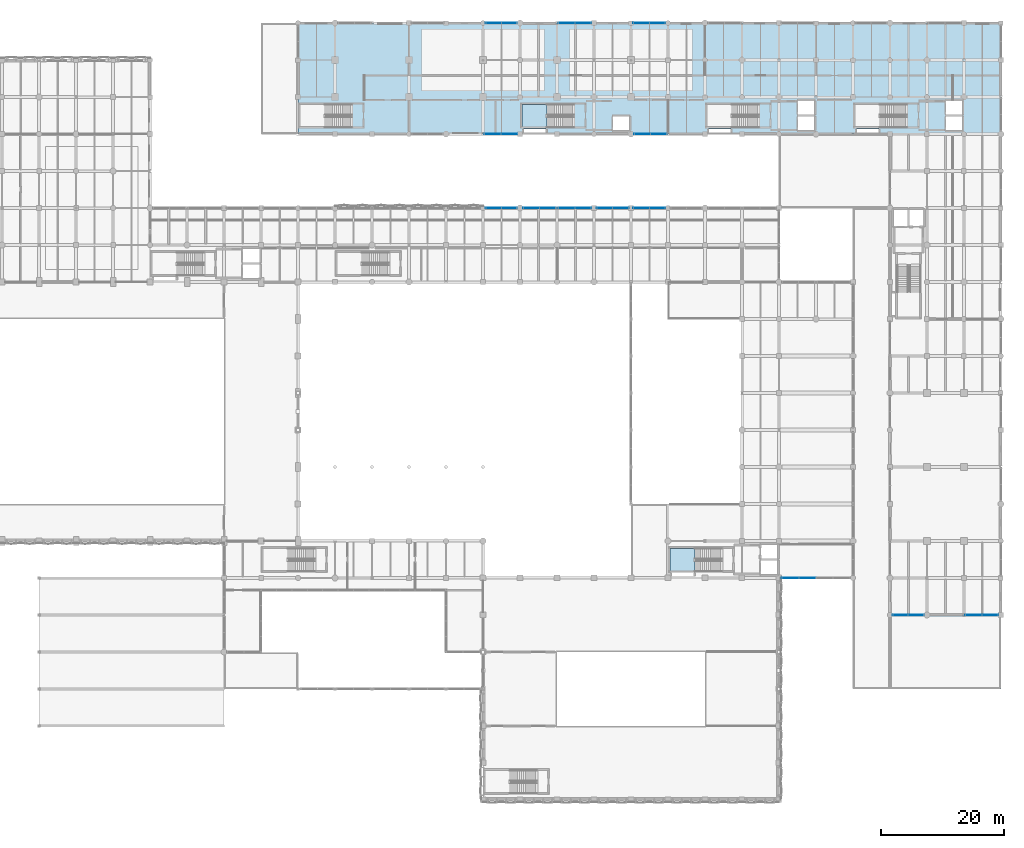
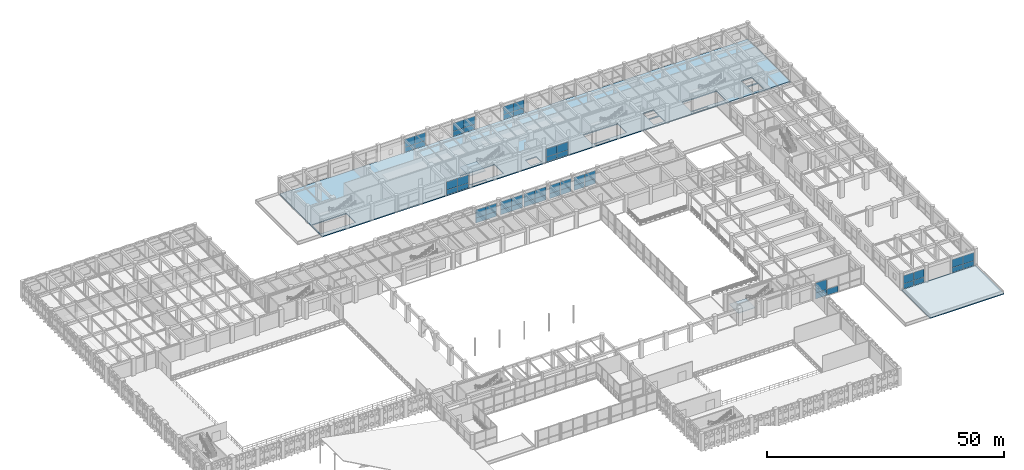
# One storey, part 91 of 133: 51 plates, 4 slabs, 15 elements without a shape of their own.
"""IFC4 building model written with IfcOpenShell, lengths in metres."""

from ifc_helpers import new_model, si_unit, direction, frame, frame_2d, origin, place, context, subcontext, project, spatial, polyline, rectangle, outline, extrude, material, layer, layer_set, type_object, element, aggregate, save


model = new_model("IFC4")

# Units and contexts
model_context = context("Model", 3, precision=1e-05, world=origin(), true_north=direction((0.0, 1.0)))
body_context = subcontext(model_context, "Body", "Model", "MODEL_VIEW")
ifc_project = project(units=[si_unit("LENGTHUNIT", "METRE"), si_unit("AREAUNIT", "SQUARE_METRE"), si_unit("VOLUMEUNIT", "CUBIC_METRE"), si_unit("PLANEANGLEUNIT", "RADIAN"), si_unit("MASSUNIT", "GRAM", prefix="KILO"), si_unit("THERMODYNAMICTEMPERATUREUNIT", "KELVIN"), si_unit("POWERUNIT", "WATT")], contexts=[model_context])

# Site, building, storey
site_placement = place(None, origin())
site = spatial("IfcSite", under=ifc_project, at=site_placement, CompositionType="ELEMENT")
building_placement = place(site_placement, origin())
building = spatial("IfcBuilding", under=site, at=building_placement, Name="Phaisarnlok Congress Hotel", CompositionType="ELEMENT")
storey_placement = place(building_placement, frame((0.0, 0.0, 6.0)))
storey = spatial("IfcBuildingStorey", under=building, at=storey_placement, Name="L01", CompositionType="ELEMENT", Elevation=6.0)

# Curtain wall, plates
ifc_material_1 = material(Name="Thermally Broken Unitised Aluminium & Low-E Glazing", Category="aluminium")
curtain_wall_type_1 = type_object("IfcCurtainWallType", Name="CW-UNIT-11", PredefinedType="NOTDEFINED", material=ifc_material_1)
curtain_wall_1_placement = place(storey_placement, origin())
curtain_wall_1 = element("IfcCurtainWall", 1, at=curtain_wall_1_placement, inside=storey, type_object=curtain_wall_type_1, Name="Unitised curtain wall CW-11 (L01)", PredefinedType="NOTDEFINED")
ifc_material_2 = material(Name="Triple Acoustic Solar-Control Glazing", Category="glass")
ifc_layer_1 = layer(ifc_material_2, 0.035888671875, Name="Triple Acoustic Solar-Control Glazing")
ifc_layer_set_1 = layer_set([ifc_layer_1], Name="Triple Acoustic Solar-Control Glazing")
plate_type = type_object("IfcPlateType", Name="CWP-GLZ-36", PredefinedType="CURTAIN_PANEL", material=ifc_layer_set_1)
plate_1_placement = place(storey_placement, frame((144.47509765625, 36.0, 0.0400390625), z_axis=(0.0, 0.0, 1.0), x_axis=(1.0, 0.0, 0.0)))
plate_1 = element("IfcPlate", 2, at=plate_1_placement, type_object=plate_type, Name="Glazed curtain panel CWP-02", PredefinedType="CURTAIN_PANEL", context=body_context, shape_type="SweptSolid", body=[
    extrude(rectangle(XDim=2.74365234375, YDim=0.028076171875, at=frame_2d((1.371826171875, 0.0))), origin(), (0.0, 0.0, 1.0), 1.5634765625),
])
plate_2_placement = place(storey_placement, frame((144.47509765625, 36.0, 1.603515625), z_axis=(0.0, 0.0, 1.0), x_axis=(1.0, 0.0, 0.0)))
plate_2 = element("IfcPlate", 3, at=plate_2_placement, type_object=plate_type, Name="Glazed curtain panel CWP-02", PredefinedType="CURTAIN_PANEL", context=body_context, shape_type="SweptSolid", body=[
    extrude(rectangle(XDim=2.74365234375, YDim=0.028076171875, at=frame_2d((1.371826171875, 0.0))), origin(), (0.0, 0.0, 1.0), 2.576416015625),
])
plate_3_placement = place(storey_placement, frame((147.248779296875, 36.0, 0.0400390625), z_axis=(0.0, 0.0, 1.0), x_axis=(1.0, 0.0, 0.0)))
plate_3 = element("IfcPlate", 4, at=plate_3_placement, type_object=plate_type, Name="Glazed curtain panel CWP-02", PredefinedType="CURTAIN_PANEL", context=body_context, shape_type="SweptSolid", body=[
    extrude(rectangle(XDim=2.748779296875, YDim=0.028076171875, at=frame_2d((1.37451171875, 0.0))), origin(), (0.0, 0.0, 1.0), 1.5634765625),
])
aggregate(curtain_wall_1, [plate_1, plate_2, plate_3])

curtain_wall_type_2 = type_object("IfcCurtainWallType", Name="CW-UNIT-15", PredefinedType="NOTDEFINED", material=ifc_material_1)
curtain_wall_2_placement = place(storey_placement, origin())
curtain_wall_2 = element("IfcCurtainWall", 5, at=curtain_wall_2_placement, inside=storey, type_object=curtain_wall_type_2, Name="Unitised curtain wall CW-15 (L01)", PredefinedType="NOTDEFINED")
plate_4_placement = place(storey_placement, frame((125.550048828125, 96.0, 0.0400390625), z_axis=(0.0, 0.0, 1.0), x_axis=(-1.0, 0.0, 0.0)))
plate_4 = element("IfcPlate", 6, at=plate_4_placement, type_object=plate_type, Name="Glazed curtain panel CWP-02", PredefinedType="CURTAIN_PANEL", context=body_context, shape_type="SweptSolid", body=[
    extrude(rectangle(XDim=2.56005859375, YDim=0.028076171875, at=frame_2d((1.280029296875, 0.0))), origin(), (0.0, 0.0, 1.0), 1.278564453125),
])
plate_5_placement = place(storey_placement, frame((125.550048828125, 96.0, 1.318603515625), z_axis=(0.0, 0.0, 1.0), x_axis=(-1.0, 0.0, 0.0)))
plate_5 = element("IfcPlate", 7, at=plate_5_placement, type_object=plate_type, Name="Glazed curtain panel CWP-02", PredefinedType="CURTAIN_PANEL", context=body_context, shape_type="SweptSolid", body=[
    extrude(rectangle(XDim=2.56005859375, YDim=0.028076171875, at=frame_2d((1.280029296875, 0.0))), origin(), (0.0, 0.0, 1.0), 2.111328125),
])
plate_6_placement = place(storey_placement, frame((122.9599609375, 96.0, 0.0400390625), z_axis=(0.0, 0.0, 1.0), x_axis=(-1.0, 0.0, 0.0)))
plate_6 = element("IfcPlate", 8, at=plate_6_placement, type_object=plate_type, Name="Glazed curtain panel CWP-02", PredefinedType="CURTAIN_PANEL", context=body_context, shape_type="SweptSolid", body=[
    extrude(rectangle(XDim=2.56005859375, YDim=0.028076171875, at=frame_2d((1.280029296875, 0.0))), origin(), (0.0, 0.0, 1.0), 1.278564453125),
])
plate_7_placement = place(storey_placement, frame((122.9599609375, 96.0, 1.318603515625), z_axis=(0.0, 0.0, 1.0), x_axis=(-1.0, 0.0, 0.0)))
plate_7 = element("IfcPlate", 9, at=plate_7_placement, type_object=plate_type, Name="Glazed curtain panel CWP-02", PredefinedType="CURTAIN_PANEL", context=body_context, shape_type="SweptSolid", body=[
    extrude(rectangle(XDim=2.56005859375, YDim=0.028076171875, at=frame_2d((1.280029296875, 0.0))), origin(), (0.0, 0.0, 1.0), 2.111328125),
])
aggregate(curtain_wall_2, [plate_4, plate_5, plate_6, plate_7])

curtain_wall_3_placement = place(storey_placement, origin())
curtain_wall_3 = element("IfcCurtainWall", 10, at=curtain_wall_3_placement, inside=storey, type_object=curtain_wall_type_2, Name="Unitised curtain wall CW-15 (L01)", PredefinedType="NOTDEFINED")
plate_8_placement = place(storey_placement, frame((119.60009765625, 96.0, 0.0400390625), z_axis=(0.0, 0.0, 1.0), x_axis=(-1.0, 0.0, 0.0)))
plate_8 = element("IfcPlate", 11, at=plate_8_placement, type_object=plate_type, Name="Glazed curtain panel CWP-02", PredefinedType="CURTAIN_PANEL", context=body_context, shape_type="SweptSolid", body=[
    extrude(rectangle(XDim=2.572509765625, YDim=0.028076171875, at=frame_2d((1.2861328125, 0.0))), origin(), (0.0, 0.0, 1.0), 1.278564453125),
])
plate_9_placement = place(storey_placement, frame((119.60009765625, 96.0, 1.318603515625), z_axis=(0.0, 0.0, 1.0), x_axis=(-1.0, 0.0, 0.0)))
plate_9 = element("IfcPlate", 12, at=plate_9_placement, type_object=plate_type, Name="Glazed curtain panel CWP-02", PredefinedType="CURTAIN_PANEL", context=body_context, shape_type="SweptSolid", body=[
    extrude(rectangle(XDim=2.572509765625, YDim=0.028076171875, at=frame_2d((1.2861328125, 0.0))), origin(), (0.0, 0.0, 1.0), 2.111328125),
])
plate_10_placement = place(storey_placement, frame((116.99755859375, 96.0, 0.0400390625), z_axis=(0.0, 0.0, 1.0), x_axis=(-1.0, 0.0, 0.0)))
plate_10 = element("IfcPlate", 13, at=plate_10_placement, type_object=plate_type, Name="Glazed curtain panel CWP-02", PredefinedType="CURTAIN_PANEL", context=body_context, shape_type="SweptSolid", body=[
    extrude(rectangle(XDim=2.572509765625, YDim=0.028076171875, at=frame_2d((1.2861328125, 0.0))), origin(), (0.0, 0.0, 1.0), 1.278564453125),
])
plate_11_placement = place(storey_placement, frame((116.99755859375, 96.0, 1.318603515625), z_axis=(0.0, 0.0, 1.0), x_axis=(-1.0, 0.0, 0.0)))
plate_11 = element("IfcPlate", 14, at=plate_11_placement, type_object=plate_type, Name="Glazed curtain panel CWP-02", PredefinedType="CURTAIN_PANEL", context=body_context, shape_type="SweptSolid", body=[
    extrude(rectangle(XDim=2.572509765625, YDim=0.028076171875, at=frame_2d((1.2861328125, 0.0))), origin(), (0.0, 0.0, 1.0), 2.111328125),
])
aggregate(curtain_wall_3, [plate_8, plate_9, plate_10, plate_11])

curtain_wall_type_3 = type_object("IfcCurtainWallType", Name="CW-UNIT-14", PredefinedType="NOTDEFINED", material=ifc_material_1)
curtain_wall_4_placement = place(storey_placement, origin())
curtain_wall_4 = element("IfcCurtainWall", 15, at=curtain_wall_4_placement, inside=storey, type_object=curtain_wall_type_3, Name="Unitised curtain wall CW-14 (L01)", PredefinedType="NOTDEFINED")
plate_12_placement = place(storey_placement, frame((113.574951171875, 96.0, 0.0400390625), z_axis=(0.0, 0.0, 1.0), x_axis=(-1.0, 0.0, 0.0)))
plate_12 = element("IfcPlate", 16, at=plate_12_placement, type_object=plate_type, Name="Glazed curtain panel CWP-02", PredefinedType="CURTAIN_PANEL", context=body_context, shape_type="SweptSolid", body=[
    extrude(rectangle(XDim=2.65966796875, YDim=0.028076171875, at=frame_2d((1.329833984375, 0.0))), origin(), (0.0, 0.0, 1.0), 1.278564453125),
])
plate_13_placement = place(storey_placement, frame((113.574951171875, 96.0, 1.318603515625), z_axis=(0.0, 0.0, 1.0), x_axis=(-1.0, 0.0, 0.0)))
plate_13 = element("IfcPlate", 17, at=plate_13_placement, type_object=plate_type, Name="Glazed curtain panel CWP-02", PredefinedType="CURTAIN_PANEL", context=body_context, shape_type="SweptSolid", body=[
    extrude(rectangle(XDim=2.65966796875, YDim=0.028076171875, at=frame_2d((1.329833984375, 0.0))), origin(), (0.0, 0.0, 1.0), 2.111328125),
])
plate_14_placement = place(storey_placement, frame((110.88525390625, 96.0, 0.0400390625), z_axis=(0.0, 0.0, 1.0), x_axis=(-1.0, 0.0, 0.0)))
plate_14 = element("IfcPlate", 18, at=plate_14_placement, type_object=plate_type, Name="Glazed curtain panel CWP-02", PredefinedType="CURTAIN_PANEL", context=body_context, shape_type="SweptSolid", body=[
    extrude(rectangle(XDim=2.65966796875, YDim=0.028076171875, at=frame_2d((1.329833984375, 0.0))), origin(), (0.0, 0.0, 1.0), 1.278564453125),
])
plate_15_placement = place(storey_placement, frame((110.88525390625, 96.0, 1.318603515625), z_axis=(0.0, 0.0, 1.0), x_axis=(-1.0, 0.0, 0.0)))
plate_15 = element("IfcPlate", 19, at=plate_15_placement, type_object=plate_type, Name="Glazed curtain panel CWP-02", PredefinedType="CURTAIN_PANEL", context=body_context, shape_type="SweptSolid", body=[
    extrude(rectangle(XDim=2.65966796875, YDim=0.028076171875, at=frame_2d((1.329833984375, 0.0))), origin(), (0.0, 0.0, 1.0), 2.111328125),
])
aggregate(curtain_wall_4, [plate_12, plate_13, plate_14, plate_15])

curtain_wall_type_4 = type_object("IfcCurtainWallType", Name="CW-UNIT-13", PredefinedType="NOTDEFINED", material=ifc_material_1)
curtain_wall_5_placement = place(storey_placement, origin())
curtain_wall_5 = element("IfcCurtainWall", 20, at=curtain_wall_5_placement, inside=storey, type_object=curtain_wall_type_4, Name="Unitised curtain wall CW-13 (L01)", PredefinedType="NOTDEFINED")
plate_16_placement = place(storey_placement, frame((107.7744140625, 96.0, 0.0400390625), z_axis=(0.0, 0.0, 1.0), x_axis=(-1.0, 0.0, 0.0)))
plate_16 = element("IfcPlate", 21, at=plate_16_placement, type_object=plate_type, Name="Glazed curtain panel CWP-02", PredefinedType="CURTAIN_PANEL", context=body_context, shape_type="SweptSolid", body=[
    extrude(rectangle(XDim=2.609619140625, YDim=0.028076171875, at=frame_2d((1.3046875, 0.0))), origin(), (0.0, 0.0, 1.0), 1.278564453125),
])
plate_17_placement = place(storey_placement, frame((107.7744140625, 96.0, 1.318603515625), z_axis=(0.0, 0.0, 1.0), x_axis=(-1.0, 0.0, 0.0)))
plate_17 = element("IfcPlate", 22, at=plate_17_placement, type_object=plate_type, Name="Glazed curtain panel CWP-02", PredefinedType="CURTAIN_PANEL", context=body_context, shape_type="SweptSolid", body=[
    extrude(rectangle(XDim=2.609619140625, YDim=0.028076171875, at=frame_2d((1.3046875, 0.0))), origin(), (0.0, 0.0, 1.0), 2.111328125),
])
plate_18_placement = place(storey_placement, frame((105.134765625, 96.0, 0.0400390625), z_axis=(0.0, 0.0, 1.0), x_axis=(-1.0, 0.0, 0.0)))
plate_18 = element("IfcPlate", 23, at=plate_18_placement, type_object=plate_type, Name="Glazed curtain panel CWP-02", PredefinedType="CURTAIN_PANEL", context=body_context, shape_type="SweptSolid", body=[
    extrude(rectangle(XDim=2.60986328125, YDim=0.028076171875, at=frame_2d((1.304931640625, 0.0))), origin(), (0.0, 0.0, 1.0), 1.278564453125),
])
plate_19_placement = place(storey_placement, frame((105.134765625, 96.0, 1.318603515625), z_axis=(0.0, 0.0, 1.0), x_axis=(-1.0, 0.0, 0.0)))
plate_19 = element("IfcPlate", 24, at=plate_19_placement, type_object=plate_type, Name="Glazed curtain panel CWP-02", PredefinedType="CURTAIN_PANEL", context=body_context, shape_type="SweptSolid", body=[
    extrude(rectangle(XDim=2.60986328125, YDim=0.028076171875, at=frame_2d((1.304931640625, 0.0))), origin(), (0.0, 0.0, 1.0), 2.111328125),
])
aggregate(curtain_wall_5, [plate_16, plate_17, plate_18, plate_19])

curtain_wall_type_5 = type_object("IfcCurtainWallType", Name="CW-UNIT-12", PredefinedType="NOTDEFINED", material=ifc_material_1)
curtain_wall_6_placement = place(storey_placement, origin())
curtain_wall_6 = element("IfcCurtainWall", 25, at=curtain_wall_6_placement, inside=storey, type_object=curtain_wall_type_5, Name="Unitised curtain wall CW-12 (L01)", PredefinedType="NOTDEFINED")
plate_20_placement = place(storey_placement, frame((101.47509765625, 96.0, 0.0400390625), z_axis=(0.0, 0.0, 1.0), x_axis=(-1.0, 0.0, 0.0)))
plate_20 = element("IfcPlate", 26, at=plate_20_placement, type_object=plate_type, Name="Glazed curtain panel CWP-02", PredefinedType="CURTAIN_PANEL", context=body_context, shape_type="SweptSolid", body=[
    extrude(rectangle(XDim=2.49755859375, YDim=0.028076171875, at=frame_2d((1.248779296875, 0.0))), origin(), (0.0, 0.0, 1.0), 1.278564453125),
])
plate_21_placement = place(storey_placement, frame((101.47509765625, 96.0, 1.318603515625), z_axis=(0.0, 0.0, 1.0), x_axis=(-1.0, 0.0, 0.0)))
plate_21 = element("IfcPlate", 27, at=plate_21_placement, type_object=plate_type, Name="Glazed curtain panel CWP-02", PredefinedType="CURTAIN_PANEL", context=body_context, shape_type="SweptSolid", body=[
    extrude(rectangle(XDim=2.49755859375, YDim=0.028076171875, at=frame_2d((1.248779296875, 0.0))), origin(), (0.0, 0.0, 1.0), 2.111328125),
])
plate_22_placement = place(storey_placement, frame((98.947509765625, 96.0, 0.0400390625), z_axis=(0.0, 0.0, 1.0), x_axis=(-1.0, 0.0, 0.0)))
plate_22 = element("IfcPlate", 28, at=plate_22_placement, type_object=plate_type, Name="Glazed curtain panel CWP-02", PredefinedType="CURTAIN_PANEL", context=body_context, shape_type="SweptSolid", body=[
    extrude(rectangle(XDim=2.49755859375, YDim=0.028076171875, at=frame_2d((1.248779296875, 0.0))), origin(), (0.0, 0.0, 1.0), 1.278564453125),
])
plate_23_placement = place(storey_placement, frame((98.947509765625, 96.0, 1.318603515625), z_axis=(0.0, 0.0, 1.0), x_axis=(-1.0, 0.0, 0.0)))
plate_23 = element("IfcPlate", 29, at=plate_23_placement, type_object=plate_type, Name="Glazed curtain panel CWP-02", PredefinedType="CURTAIN_PANEL", context=body_context, shape_type="SweptSolid", body=[
    extrude(rectangle(XDim=2.49755859375, YDim=0.028076171875, at=frame_2d((1.248779296875, 0.0))), origin(), (0.0, 0.0, 1.0), 2.111328125),
])
aggregate(curtain_wall_6, [plate_20, plate_21, plate_22, plate_23])

curtain_wall_7_placement = place(storey_placement, origin())
curtain_wall_7 = element("IfcCurtainWall", 30, at=curtain_wall_7_placement, inside=storey, type_object=curtain_wall_type_3, Name="Unitised curtain wall CW-14 (L01)", PredefinedType="NOTDEFINED")
plate_24_placement = place(storey_placement, frame((96.2255859375, 108.0, 0.0400390625), z_axis=(0.0, 0.0, 1.0), x_axis=(1.0, 0.0, 0.0)))
plate_24 = element("IfcPlate", 31, at=plate_24_placement, type_object=plate_type, Name="Glazed curtain panel CWP-02", PredefinedType="CURTAIN_PANEL", context=body_context, shape_type="SweptSolid", body=[
    extrude(rectangle(XDim=2.65966796875, YDim=0.028076171875, at=frame_2d((1.329833984375, 0.0))), origin(), (0.0, 0.0, 1.0), 1.278564453125),
])
plate_25_placement = place(storey_placement, frame((96.2255859375, 108.0, 1.318603515625), z_axis=(0.0, 0.0, 1.0), x_axis=(1.0, 0.0, 0.0)))
plate_25 = element("IfcPlate", 32, at=plate_25_placement, type_object=plate_type, Name="Glazed curtain panel CWP-02", PredefinedType="CURTAIN_PANEL", context=body_context, shape_type="SweptSolid", body=[
    extrude(rectangle(XDim=2.65966796875, YDim=0.028076171875, at=frame_2d((1.329833984375, 0.0))), origin(), (0.0, 0.0, 1.0), 2.111328125),
])
plate_26_placement = place(storey_placement, frame((98.915283203125, 108.0, 0.0400390625), z_axis=(0.0, 0.0, 1.0), x_axis=(1.0, 0.0, 0.0)))
plate_26 = element("IfcPlate", 33, at=plate_26_placement, type_object=plate_type, Name="Glazed curtain panel CWP-02", PredefinedType="CURTAIN_PANEL", context=body_context, shape_type="SweptSolid", body=[
    extrude(rectangle(XDim=2.65966796875, YDim=0.028076171875, at=frame_2d((1.329833984375, 0.0))), origin(), (0.0, 0.0, 1.0), 1.278564453125),
])
plate_27_placement = place(storey_placement, frame((98.915283203125, 108.0, 1.318603515625), z_axis=(0.0, 0.0, 1.0), x_axis=(1.0, 0.0, 0.0)))
plate_27 = element("IfcPlate", 34, at=plate_27_placement, type_object=plate_type, Name="Glazed curtain panel CWP-02", PredefinedType="CURTAIN_PANEL", context=body_context, shape_type="SweptSolid", body=[
    extrude(rectangle(XDim=2.65966796875, YDim=0.028076171875, at=frame_2d((1.329833984375, 0.0))), origin(), (0.0, 0.0, 1.0), 2.111328125),
])
aggregate(curtain_wall_7, [plate_24, plate_25, plate_26, plate_27])

curtain_wall_8_placement = place(storey_placement, origin())
curtain_wall_8 = element("IfcCurtainWall", 35, at=curtain_wall_8_placement, inside=storey, type_object=curtain_wall_type_4, Name="Unitised curtain wall CW-13 (L01)", PredefinedType="NOTDEFINED")
plate_28_placement = place(storey_placement, frame((120.52490234375, 108.0, 0.0400390625), z_axis=(0.0, 0.0, 1.0), x_axis=(1.0, 0.0, 0.0)))
plate_28 = element("IfcPlate", 36, at=plate_28_placement, type_object=plate_type, Name="Glazed curtain panel CWP-02", PredefinedType="CURTAIN_PANEL", context=body_context, shape_type="SweptSolid", body=[
    extrude(rectangle(XDim=2.60986328125, YDim=0.028076171875, at=frame_2d((1.304931640625, 0.0))), origin(), (0.0, 0.0, 1.0), 1.278564453125),
])
plate_29_placement = place(storey_placement, frame((120.52490234375, 108.0, 1.318603515625), z_axis=(0.0, 0.0, 1.0), x_axis=(1.0, 0.0, 0.0)))
plate_29 = element("IfcPlate", 37, at=plate_29_placement, type_object=plate_type, Name="Glazed curtain panel CWP-02", PredefinedType="CURTAIN_PANEL", context=body_context, shape_type="SweptSolid", body=[
    extrude(rectangle(XDim=2.60986328125, YDim=0.028076171875, at=frame_2d((1.304931640625, 0.0))), origin(), (0.0, 0.0, 1.0), 2.111328125),
])
plate_30_placement = place(storey_placement, frame((123.164794921875, 108.0, 0.0400390625), z_axis=(0.0, 0.0, 1.0), x_axis=(1.0, 0.0, 0.0)))
plate_30 = element("IfcPlate", 38, at=plate_30_placement, type_object=plate_type, Name="Glazed curtain panel CWP-02", PredefinedType="CURTAIN_PANEL", context=body_context, shape_type="SweptSolid", body=[
    extrude(rectangle(XDim=2.609619140625, YDim=0.028076171875, at=frame_2d((1.3046875, 0.0))), origin(), (0.0, 0.0, 1.0), 1.278564453125),
])
plate_31_placement = place(storey_placement, frame((123.164794921875, 108.0, 1.318603515625), z_axis=(0.0, 0.0, 1.0), x_axis=(1.0, 0.0, 0.0)))
plate_31 = element("IfcPlate", 39, at=plate_31_placement, type_object=plate_type, Name="Glazed curtain panel CWP-02", PredefinedType="CURTAIN_PANEL", context=body_context, shape_type="SweptSolid", body=[
    extrude(rectangle(XDim=2.609619140625, YDim=0.028076171875, at=frame_2d((1.3046875, 0.0))), origin(), (0.0, 0.0, 1.0), 2.111328125),
])
aggregate(curtain_wall_8, [plate_28, plate_29, plate_30, plate_31])

curtain_wall_9_placement = place(storey_placement, origin())
curtain_wall_9 = element("IfcCurtainWall", 40, at=curtain_wall_9_placement, inside=storey, type_object=curtain_wall_type_5, Name="Unitised curtain wall CW-12 (L01)", PredefinedType="NOTDEFINED")
plate_32_placement = place(storey_placement, frame((162.449951171875, 30.0, 0.0400390625), z_axis=(0.0, 0.0, 1.0), x_axis=(1.0, 0.0, 0.0)))
plate_32 = element("IfcPlate", 41, at=plate_32_placement, type_object=plate_type, Name="Glazed curtain panel CWP-02", PredefinedType="CURTAIN_PANEL", context=body_context, shape_type="SweptSolid", body=[
    extrude(rectangle(XDim=2.49755859375, YDim=0.028076171875, at=frame_2d((1.248779296875, 0.0))), origin(), (0.0, 0.0, 1.0), 1.278564453125),
])
plate_33_placement = place(storey_placement, frame((162.449951171875, 30.0, 1.318603515625), z_axis=(0.0, 0.0, 1.0), x_axis=(1.0, 0.0, 0.0)))
plate_33 = element("IfcPlate", 42, at=plate_33_placement, type_object=plate_type, Name="Glazed curtain panel CWP-02", PredefinedType="CURTAIN_PANEL", context=body_context, shape_type="SweptSolid", body=[
    extrude(rectangle(XDim=2.49755859375, YDim=0.028076171875, at=frame_2d((1.248779296875, 0.0))), origin(), (0.0, 0.0, 1.0), 2.111328125),
])
plate_34_placement = place(storey_placement, frame((164.9775390625, 30.0, 0.0400390625), z_axis=(0.0, 0.0, 1.0), x_axis=(1.0, 0.0, 0.0)))
plate_34 = element("IfcPlate", 43, at=plate_34_placement, type_object=plate_type, Name="Glazed curtain panel CWP-02", PredefinedType="CURTAIN_PANEL", context=body_context, shape_type="SweptSolid", body=[
    extrude(rectangle(XDim=2.49755859375, YDim=0.028076171875, at=frame_2d((1.248779296875, 0.0))), origin(), (0.0, 0.0, 1.0), 1.278564453125),
])
plate_35_placement = place(storey_placement, frame((164.9775390625, 30.0, 1.318603515625), z_axis=(0.0, 0.0, 1.0), x_axis=(1.0, 0.0, 0.0)))
plate_35 = element("IfcPlate", 44, at=plate_35_placement, type_object=plate_type, Name="Glazed curtain panel CWP-02", PredefinedType="CURTAIN_PANEL", context=body_context, shape_type="SweptSolid", body=[
    extrude(rectangle(XDim=2.49755859375, YDim=0.028076171875, at=frame_2d((1.248779296875, 0.0))), origin(), (0.0, 0.0, 1.0), 2.111328125),
])
aggregate(curtain_wall_9, [plate_32, plate_33, plate_34, plate_35])

curtain_wall_10_placement = place(storey_placement, origin())
curtain_wall_10 = element("IfcCurtainWall", 45, at=curtain_wall_10_placement, inside=storey, type_object=curtain_wall_type_3, Name="Unitised curtain wall CW-14 (L01)", PredefinedType="NOTDEFINED")
plate_36_placement = place(storey_placement, frame((174.2255859375, 30.0, 0.0400390625), z_axis=(0.0, 0.0, 1.0), x_axis=(1.0, 0.0, 0.0)))
plate_36 = element("IfcPlate", 46, at=plate_36_placement, type_object=plate_type, Name="Glazed curtain panel CWP-02", PredefinedType="CURTAIN_PANEL", context=body_context, shape_type="SweptSolid", body=[
    extrude(rectangle(XDim=2.65966796875, YDim=0.028076171875, at=frame_2d((1.329833984375, 0.0))), origin(), (0.0, 0.0, 1.0), 1.278564453125),
])
plate_37_placement = place(storey_placement, frame((174.2255859375, 30.0, 1.318603515625), z_axis=(0.0, 0.0, 1.0), x_axis=(1.0, 0.0, 0.0)))
plate_37 = element("IfcPlate", 47, at=plate_37_placement, type_object=plate_type, Name="Glazed curtain panel CWP-02", PredefinedType="CURTAIN_PANEL", context=body_context, shape_type="SweptSolid", body=[
    extrude(rectangle(XDim=2.65966796875, YDim=0.028076171875, at=frame_2d((1.329833984375, 0.0))), origin(), (0.0, 0.0, 1.0), 2.111328125),
])
plate_38_placement = place(storey_placement, frame((176.915283203125, 30.0, 0.0400390625), z_axis=(0.0, 0.0, 1.0), x_axis=(1.0, 0.0, 0.0)))
plate_38 = element("IfcPlate", 48, at=plate_38_placement, type_object=plate_type, Name="Glazed curtain panel CWP-02", PredefinedType="CURTAIN_PANEL", context=body_context, shape_type="SweptSolid", body=[
    extrude(rectangle(XDim=2.65966796875, YDim=0.028076171875, at=frame_2d((1.329833984375, 0.0))), origin(), (0.0, 0.0, 1.0), 1.278564453125),
])
plate_39_placement = place(storey_placement, frame((176.915283203125, 30.0, 1.318603515625), z_axis=(0.0, 0.0, 1.0), x_axis=(1.0, 0.0, 0.0)))
plate_39 = element("IfcPlate", 49, at=plate_39_placement, type_object=plate_type, Name="Glazed curtain panel CWP-02", PredefinedType="CURTAIN_PANEL", context=body_context, shape_type="SweptSolid", body=[
    extrude(rectangle(XDim=2.65966796875, YDim=0.028076171875, at=frame_2d((1.329833984375, 0.0))), origin(), (0.0, 0.0, 1.0), 2.111328125),
])
aggregate(curtain_wall_10, [plate_36, plate_37, plate_38, plate_39])

curtain_wall_11_placement = place(storey_placement, origin())
curtain_wall_11 = element("IfcCurtainWall", 50, at=curtain_wall_11_placement, inside=storey, type_object=curtain_wall_type_2, Name="Unitised curtain wall CW-15 (L01)", PredefinedType="NOTDEFINED")
plate_40_placement = place(storey_placement, frame((125.550048828125, 126.0, 0.0400390625), z_axis=(0.0, 0.0, 1.0), x_axis=(-1.0, 0.0, 0.0)))
plate_40 = element("IfcPlate", 51, at=plate_40_placement, type_object=plate_type, Name="Glazed curtain panel CWP-02", PredefinedType="CURTAIN_PANEL", context=body_context, shape_type="SweptSolid", body=[
    extrude(rectangle(XDim=2.56005859375, YDim=0.028076171875, at=frame_2d((1.280029296875, 0.0))), origin(), (0.0, 0.0, 1.0), 1.278564453125),
])
plate_41_placement = place(storey_placement, frame((125.550048828125, 126.0, 1.318603515625), z_axis=(0.0, 0.0, 1.0), x_axis=(-1.0, 0.0, 0.0)))
plate_41 = element("IfcPlate", 52, at=plate_41_placement, type_object=plate_type, Name="Glazed curtain panel CWP-02", PredefinedType="CURTAIN_PANEL", context=body_context, shape_type="SweptSolid", body=[
    extrude(rectangle(XDim=2.56005859375, YDim=0.028076171875, at=frame_2d((1.280029296875, 0.0))), origin(), (0.0, 0.0, 1.0), 2.111328125),
])
plate_42_placement = place(storey_placement, frame((122.9599609375, 126.0, 0.0400390625), z_axis=(0.0, 0.0, 1.0), x_axis=(-1.0, 0.0, 0.0)))
plate_42 = element("IfcPlate", 53, at=plate_42_placement, type_object=plate_type, Name="Glazed curtain panel CWP-02", PredefinedType="CURTAIN_PANEL", context=body_context, shape_type="SweptSolid", body=[
    extrude(rectangle(XDim=2.56005859375, YDim=0.028076171875, at=frame_2d((1.280029296875, 0.0))), origin(), (0.0, 0.0, 1.0), 1.278564453125),
])
plate_43_placement = place(storey_placement, frame((122.9599609375, 126.0, 1.318603515625), z_axis=(0.0, 0.0, 1.0), x_axis=(-1.0, 0.0, 0.0)))
plate_43 = element("IfcPlate", 54, at=plate_43_placement, type_object=plate_type, Name="Glazed curtain panel CWP-02", PredefinedType="CURTAIN_PANEL", context=body_context, shape_type="SweptSolid", body=[
    extrude(rectangle(XDim=2.56005859375, YDim=0.028076171875, at=frame_2d((1.280029296875, 0.0))), origin(), (0.0, 0.0, 1.0), 2.111328125),
])
aggregate(curtain_wall_11, [plate_40, plate_41, plate_42, plate_43])

curtain_wall_12_placement = place(storey_placement, origin())
curtain_wall_12 = element("IfcCurtainWall", 55, at=curtain_wall_12_placement, inside=storey, type_object=curtain_wall_type_3, Name="Unitised curtain wall CW-14 (L01)", PredefinedType="NOTDEFINED")
plate_44_placement = place(storey_placement, frame((113.574951171875, 126.0, 0.0400390625), z_axis=(0.0, 0.0, 1.0), x_axis=(-1.0, 0.0, 0.0)))
plate_44 = element("IfcPlate", 56, at=plate_44_placement, type_object=plate_type, Name="Glazed curtain panel CWP-02", PredefinedType="CURTAIN_PANEL", context=body_context, shape_type="SweptSolid", body=[
    extrude(rectangle(XDim=2.65966796875, YDim=0.028076171875, at=frame_2d((1.329833984375, 0.0))), origin(), (0.0, 0.0, 1.0), 1.278564453125),
])
plate_45_placement = place(storey_placement, frame((113.574951171875, 126.0, 1.318603515625), z_axis=(0.0, 0.0, 1.0), x_axis=(-1.0, 0.0, 0.0)))
plate_45 = element("IfcPlate", 57, at=plate_45_placement, type_object=plate_type, Name="Glazed curtain panel CWP-02", PredefinedType="CURTAIN_PANEL", context=body_context, shape_type="SweptSolid", body=[
    extrude(rectangle(XDim=2.65966796875, YDim=0.028076171875, at=frame_2d((1.329833984375, 0.0))), origin(), (0.0, 0.0, 1.0), 2.111328125),
])
plate_46_placement = place(storey_placement, frame((110.88525390625, 126.0, 0.0400390625), z_axis=(0.0, 0.0, 1.0), x_axis=(-1.0, 0.0, 0.0)))
plate_46 = element("IfcPlate", 58, at=plate_46_placement, type_object=plate_type, Name="Glazed curtain panel CWP-02", PredefinedType="CURTAIN_PANEL", context=body_context, shape_type="SweptSolid", body=[
    extrude(rectangle(XDim=2.65966796875, YDim=0.028076171875, at=frame_2d((1.329833984375, 0.0))), origin(), (0.0, 0.0, 1.0), 1.278564453125),
])
plate_47_placement = place(storey_placement, frame((110.88525390625, 126.0, 1.318603515625), z_axis=(0.0, 0.0, 1.0), x_axis=(-1.0, 0.0, 0.0)))
plate_47 = element("IfcPlate", 59, at=plate_47_placement, type_object=plate_type, Name="Glazed curtain panel CWP-02", PredefinedType="CURTAIN_PANEL", context=body_context, shape_type="SweptSolid", body=[
    extrude(rectangle(XDim=2.65966796875, YDim=0.028076171875, at=frame_2d((1.329833984375, 0.0))), origin(), (0.0, 0.0, 1.0), 2.111328125),
])
aggregate(curtain_wall_12, [plate_44, plate_45, plate_46, plate_47])

curtain_wall_13_placement = place(storey_placement, origin())
curtain_wall_13 = element("IfcCurtainWall", 60, at=curtain_wall_13_placement, inside=storey, type_object=curtain_wall_type_5, Name="Unitised curtain wall CW-12 (L01)", PredefinedType="NOTDEFINED")
plate_48_placement = place(storey_placement, frame((101.47509765625, 126.0, 0.0400390625), z_axis=(0.0, 0.0, 1.0), x_axis=(-1.0, 0.0, 0.0)))
plate_48 = element("IfcPlate", 61, at=plate_48_placement, type_object=plate_type, Name="Glazed curtain panel CWP-02", PredefinedType="CURTAIN_PANEL", context=body_context, shape_type="SweptSolid", body=[
    extrude(rectangle(XDim=2.49755859375, YDim=0.028076171875, at=frame_2d((1.248779296875, 0.0))), origin(), (0.0, 0.0, 1.0), 1.278564453125),
])
plate_49_placement = place(storey_placement, frame((101.47509765625, 126.0, 1.318603515625), z_axis=(0.0, 0.0, 1.0), x_axis=(-1.0, 0.0, 0.0)))
plate_49 = element("IfcPlate", 62, at=plate_49_placement, type_object=plate_type, Name="Glazed curtain panel CWP-02", PredefinedType="CURTAIN_PANEL", context=body_context, shape_type="SweptSolid", body=[
    extrude(rectangle(XDim=2.49755859375, YDim=0.028076171875, at=frame_2d((1.248779296875, 0.0))), origin(), (0.0, 0.0, 1.0), 2.111328125),
])
plate_50_placement = place(storey_placement, frame((98.947509765625, 126.0, 0.0400390625), z_axis=(0.0, 0.0, 1.0), x_axis=(-1.0, 0.0, 0.0)))
plate_50 = element("IfcPlate", 63, at=plate_50_placement, type_object=plate_type, Name="Glazed curtain panel CWP-02", PredefinedType="CURTAIN_PANEL", context=body_context, shape_type="SweptSolid", body=[
    extrude(rectangle(XDim=2.49755859375, YDim=0.028076171875, at=frame_2d((1.248779296875, 0.0))), origin(), (0.0, 0.0, 1.0), 1.278564453125),
])
plate_51_placement = place(storey_placement, frame((98.947509765625, 126.0, 1.318603515625), z_axis=(0.0, 0.0, 1.0), x_axis=(-1.0, 0.0, 0.0)))
plate_51 = element("IfcPlate", 64, at=plate_51_placement, type_object=plate_type, Name="Glazed curtain panel CWP-02", PredefinedType="CURTAIN_PANEL", context=body_context, shape_type="SweptSolid", body=[
    extrude(rectangle(XDim=2.49755859375, YDim=0.028076171875, at=frame_2d((1.248779296875, 0.0))), origin(), (0.0, 0.0, 1.0), 2.111328125),
])
aggregate(curtain_wall_13, [plate_48, plate_49, plate_50, plate_51])

# Slab
ifc_material_3 = material(Name="Concrete C40/50", Category="concrete")
ifc_layer_2 = layer(ifc_material_3, 0.260009765625, Name="Concrete C40/50")
ifc_layer_set_2 = layer_set([ifc_layer_2], Name="Concrete C40/50")
slab_type_1 = type_object("IfcSlabType", Name="SLB-INT-260", PredefinedType="FLOOR", material=ifc_layer_set_2)
slab_1_placement = place(storey_placement, frame((0.0, 0.0, -0.260009765625)))
element("IfcSlab", 65, at=slab_1_placement, inside=storey, type_object=slab_type_1, Name="Floor slab SL-INT-260 (L01 v5_n)", PredefinedType="FLOOR", context=body_context, shape_type="SweptSolid", body=[
    extrude(outline(polyline([(180.0, 108.0), (180.0, 126.0), (66.0, 126.0), (66.0, 108.0), (180.0, 108.0)]), holes=[polyline([(164.719970703125, 112.800048828125), (156.300048828125, 112.800048828125), (156.300048828125, 109.0), (164.719970703125, 109.0), (164.719970703125, 112.800048828125)]), polyline([(140.719970703125, 112.800048828125), (132.300048828125, 112.800048828125), (132.300048828125, 109.0), (140.719970703125, 109.0), (140.719970703125, 112.800048828125)]), polyline([(110.719970703125, 112.800048828125), (102.300048828125, 112.800048828125), (102.300048828125, 109.0), (110.719970703125, 109.0), (110.719970703125, 112.800048828125)]), polyline([(74.719970703125, 112.800048828125), (66.300048828125, 112.800048828125), (66.300048828125, 109.0), (74.719970703125, 109.0), (74.719970703125, 112.800048828125)]), polyline([(173.75, 108.60009765625), (173.75, 110.85009765625), (171.10009765625, 110.85009765625), (171.10009765625, 108.60009765625), (173.75, 108.60009765625)]), polyline([(173.75, 111.14990234375), (173.75, 113.39990234375), (171.10009765625, 113.39990234375), (171.10009765625, 111.14990234375), (173.75, 111.14990234375)]), polyline([(160.199951171875, 108.25), (160.199951171875, 108.85009765625), (156.60009765625, 108.85009765625), (156.60009765625, 108.25), (160.199951171875, 108.25)]), polyline([(149.75, 108.60009765625), (149.75, 110.85009765625), (147.10009765625, 110.85009765625), (147.10009765625, 108.60009765625), (149.75, 108.60009765625)]), polyline([(149.75, 111.14990234375), (149.75, 113.39990234375), (147.10009765625, 113.39990234375), (147.10009765625, 111.14990234375), (149.75, 111.14990234375)]), polyline([(136.199951171875, 108.25), (136.199951171875, 108.85009765625), (132.60009765625, 108.85009765625), (132.60009765625, 108.25), (136.199951171875, 108.25)]), polyline([(119.75, 108.60009765625), (119.75, 110.85009765625), (117.10009765625, 110.85009765625), (117.10009765625, 108.60009765625), (119.75, 108.60009765625)]), polyline([(106.199951171875, 108.25), (106.199951171875, 108.85009765625), (102.60009765625, 108.85009765625), (102.60009765625, 108.25), (106.199951171875, 108.25)])]), origin(), (0.0, 0.0, 1.0), 0.260009765625),
])

# Stair, slab
stair_type = type_object("IfcStairType", Name="STR-DOG-03", PredefinedType="HALF_TURN_STAIR", material=ifc_material_3)
stair_1_placement = place(storey_placement, origin())
stair_1 = element("IfcStair", 66, at=stair_1_placement, inside=storey, type_object=stair_type, Name="L01 ST-02", PredefinedType="HALF_TURN_STAIR")
ifc_layer_3 = layer(ifc_material_3, 0.199951171875, Name="Concrete C40/50")
ifc_layer_set_3 = layer_set([ifc_layer_3], Name="Concrete C40/50")
slab_type_2 = type_object("IfcSlabType", Name="SLB-LND-200", PredefinedType="LANDING", material=ifc_layer_set_3)
slab_2_placement = place(storey_placement, frame((0.0, 0.0, 2.050048828125)))
slab_2 = element("IfcSlab", 67, at=slab_2_placement, type_object=slab_type_2, Name="ST-02 landing 1", PredefinedType="LANDING", context=body_context, shape_type="SweptSolid", body=[
    extrude(outline(polyline([(130.3798828125, 40.800048828125), (126.300048828125, 40.800048828125), (126.300048828125, 37.0), (130.3798828125, 37.0), (130.3798828125, 40.800048828125)])), origin(), (0.0, 0.0, 1.0), 0.199951171875),
])
aggregate(stair_1, [slab_2])

stair_2_placement = place(storey_placement, origin())
stair_2 = element("IfcStair", 68, at=stair_2_placement, inside=storey, type_object=stair_type, Name="L01 ST-07", PredefinedType="HALF_TURN_STAIR")
slab_3_placement = place(storey_placement, frame((0.0, 0.0, 2.050048828125)))
slab_3 = element("IfcSlab", 69, at=slab_3_placement, type_object=slab_type_2, Name="ST-07 landing 1", PredefinedType="LANDING", context=body_context, shape_type="SweptSolid", body=[
    extrude(outline(polyline([(106.3798828125, 112.800048828125), (102.300048828125, 112.800048828125), (102.300048828125, 109.0), (106.3798828125, 109.0), (106.3798828125, 112.800048828125)])), origin(), (0.0, 0.0, 1.0), 0.199951171875),
])
aggregate(stair_2, [slab_3])

# Slab
ifc_layer_4 = layer(ifc_material_3, 0.239990234375, Name="Concrete C40/50")
ifc_layer_set_4 = layer_set([ifc_layer_4], Name="Concrete C40/50")
slab_type_3 = type_object("IfcSlabType", Name="SLB-ROOF-240", PredefinedType="ROOF", material=ifc_layer_set_4)
slab_4_placement = place(storey_placement, frame((0.0, 0.0, -0.239990234375)))
element("IfcSlab", 70, at=slab_4_placement, inside=storey, type_object=slab_type_3, Name="Podium setback roof slab SL-ROOF-240 (L01 pod_admin_se)", PredefinedType="ROOF", context=body_context, shape_type="SweptSolid", body=[
    extrude(outline(polyline([(162.0, 18.0), (180.0, 18.0), (180.0, 30.0), (162.0, 30.0), (162.0, 18.0)])), origin(), (0.0, 0.0, 1.0), 0.239990234375),
])

save(model, "model.ifc")
